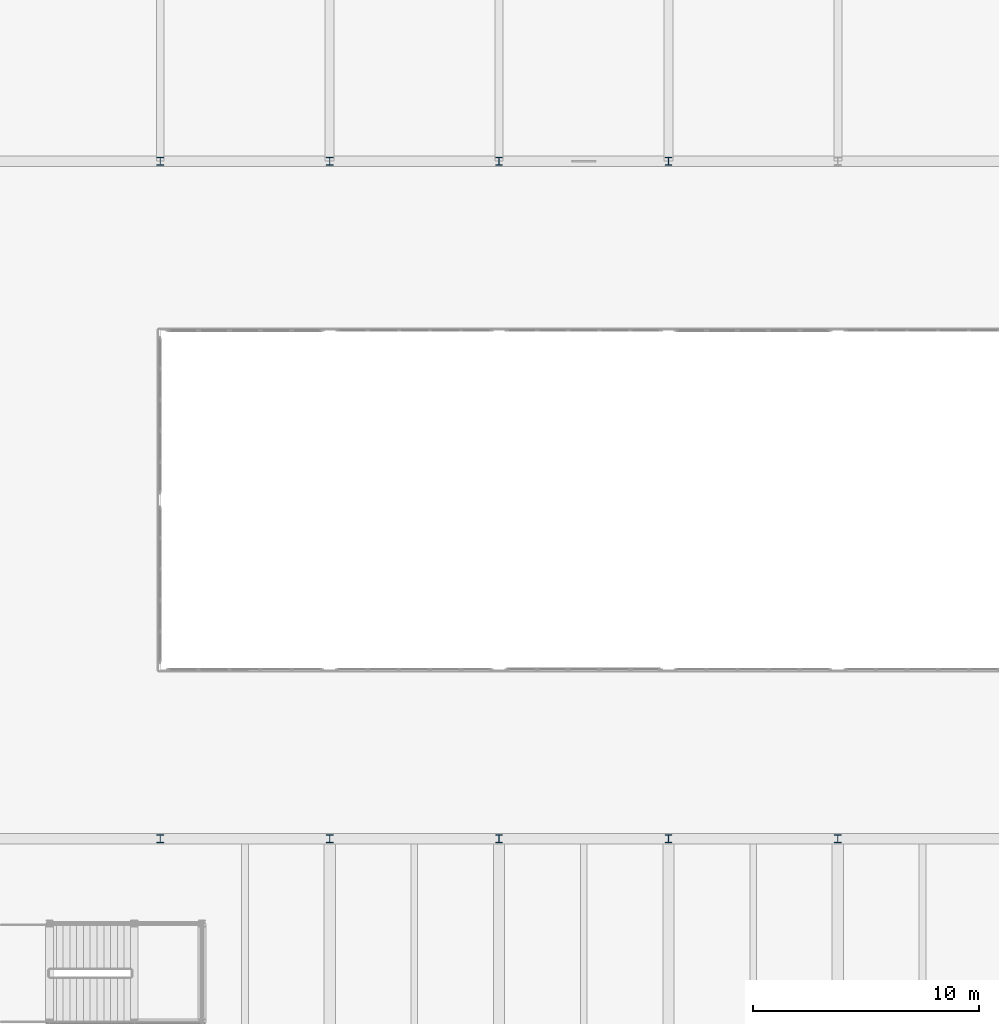
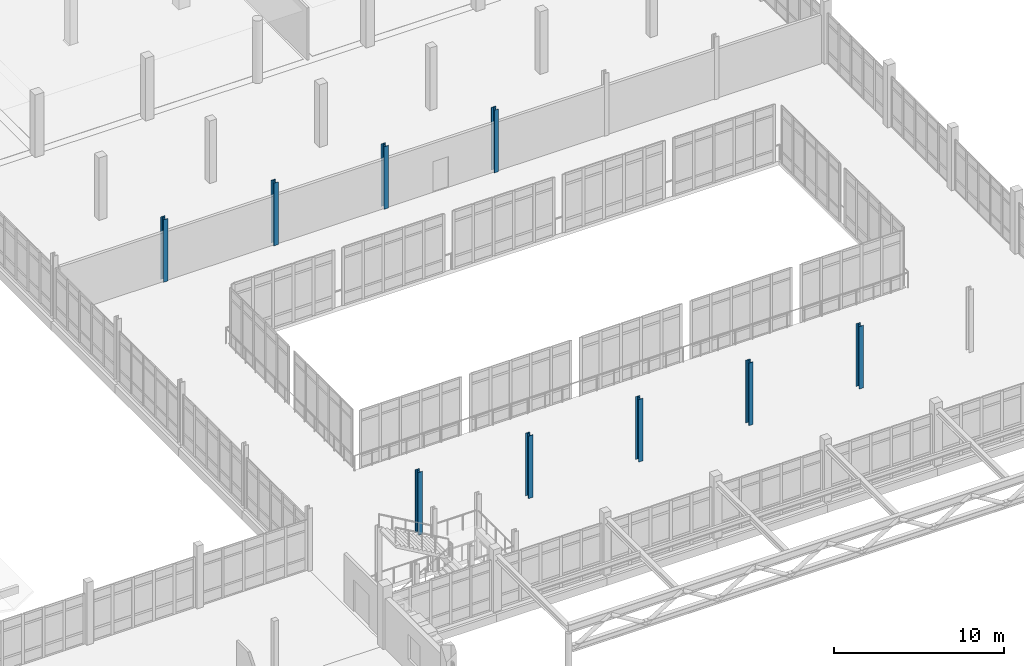
# One storey, part 7 of 128: 9 columns.
"""IFC4 building model written with IfcOpenShell, lengths in metres."""

from ifc_helpers import new_model, si_unit, direction, frame, origin, origin_2d, place, context, subcontext, project, spatial, i_section, extrude, material, material_profile, profile_set, type_object, element, save


model = new_model("IFC4")

# Units and contexts
model_context = context("Model", 3, precision=1e-05, world=origin(), true_north=direction((0.0, 1.0)))
body_context = subcontext(model_context, "Body", "Model", "MODEL_VIEW")
ifc_project = project(units=[si_unit("LENGTHUNIT", "METRE"), si_unit("AREAUNIT", "SQUARE_METRE"), si_unit("VOLUMEUNIT", "CUBIC_METRE"), si_unit("PLANEANGLEUNIT", "RADIAN"), si_unit("MASSUNIT", "GRAM", prefix="KILO")], contexts=[model_context])

# Site, building, storey
site_placement = place(None, origin())
site = spatial("IfcSite", under=ifc_project, at=site_placement, CompositionType="ELEMENT")
building_placement = place(site_placement, origin())
building = spatial("IfcBuilding", under=site, at=building_placement, Name="Dalvernix Boulevard General Hospital", CompositionType="ELEMENT")
storey_placement = place(building_placement, frame((0.0, 0.0, 4.800048828125)))
storey = spatial("IfcBuildingStorey", under=building, at=storey_placement, Name="L01", CompositionType="ELEMENT", Elevation=4.800048828125)

# Columns
ifc_material = material(Name="Steel S355", Category="steel")
ifc_material_profile = material_profile(ifc_material, i_section(OverallWidth=0.300048828125, OverallDepth=0.360107421875, WebThickness=0.012451171875, FlangeThickness=0.0224609375, FilletRadius=0.027099609375, at=origin_2d()), Name="HEB 360")
ifc_profile_set = profile_set([ifc_material_profile], Name="Steel S355")
column_type = type_object("IfcColumnType", Name="COL-C-17-I", PredefinedType="COLUMN", material=ifc_profile_set)
for number, where, z_axis, x_axis, name in (
    (1, (67.5, 31.5, 0.0), (0.0, 0.0, 1.0), (1.0, 0.0, 0.0), "L01 column 10E"),
    (2, (67.5, 61.5, 0.0), (0.0, 0.0, 1.0), (1.0, 0.0, 0.0), "L01 column 10J"),
    (3, (75.0, 31.5, 0.0), (0.0, 0.0, 1.0), (1.0, 0.0, 0.0), "L01 column 11E"),
    (4, (75.0, 61.5, 0.0), (0.0, 0.0, 1.0), (1.0, 0.0, 0.0), "L01 column 11J"),
    (5, (82.5, 31.5, 0.0), (0.0, 0.0, 1.0), (1.0, 0.0, 0.0), "L01 column 12E"),
    (6, (82.5, 61.5, 0.0), (0.0, 0.0, 1.0), (1.0, 0.0, 0.0), "L01 column 12J"),
    (7, (90.0, 31.5, 0.0), (0.0, 0.0, 1.0), (1.0, 0.0, 0.0), "L01 column 13E"),
    (8, (90.0, 61.5, 0.0), (0.0, 0.0, 1.0), (1.0, 0.0, 0.0), "L01 column 13J"),
    (9, (97.5, 31.5, 0.0), (0.0, 0.0, 1.0), (1.0, 0.0, 0.0), "L01 column 14E"),
):
    element("IfcColumn", number, at=place(storey_placement, frame(where, z_axis=z_axis, x_axis=x_axis)), inside=storey, type_object=column_type, Name=name, PredefinedType="COLUMN", context=body_context, shape_type="SweptSolid", body=[
        extrude(i_section(OverallWidth=0.300048828125, OverallDepth=0.360107421875, WebThickness=0.012451171875, FlangeThickness=0.0224609375, FilletRadius=0.027099609375, at=origin_2d()), origin(), (0.0, 0.0, 1.0), 4.5),
    ])

save(model, "model.ifc")
